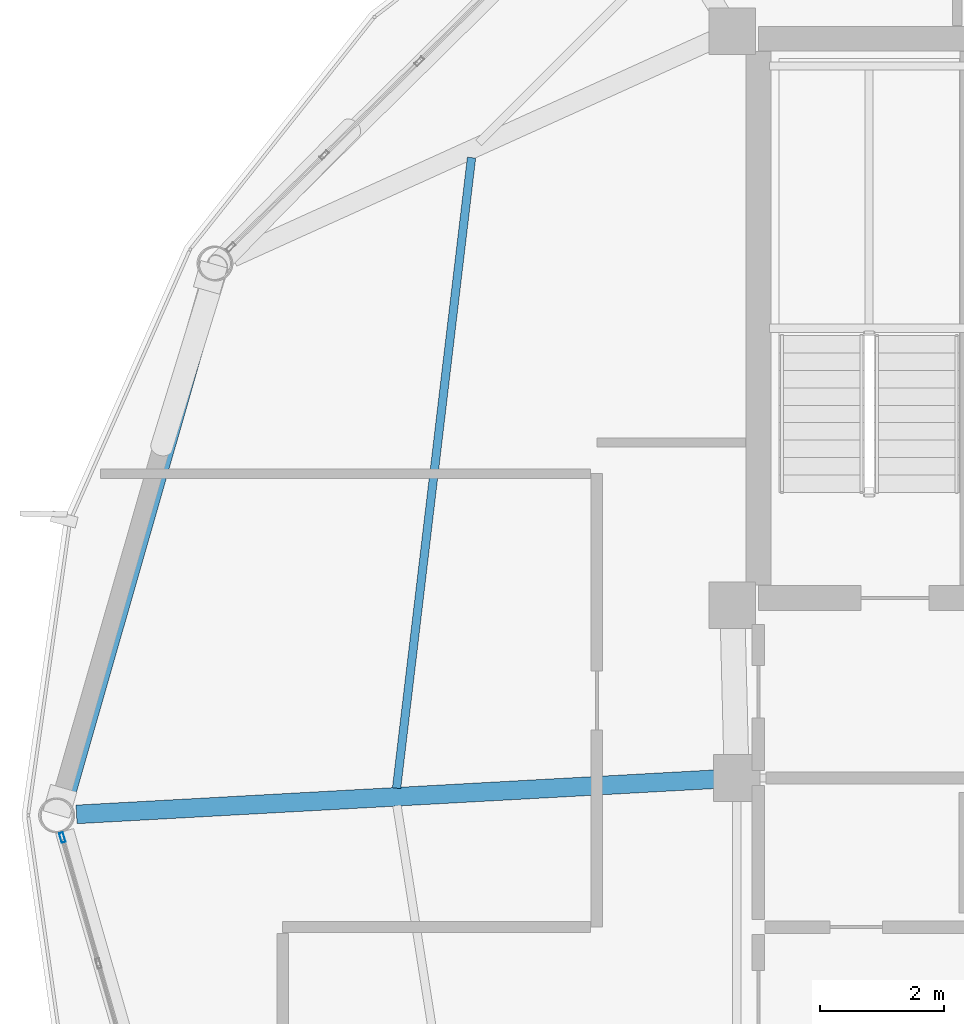
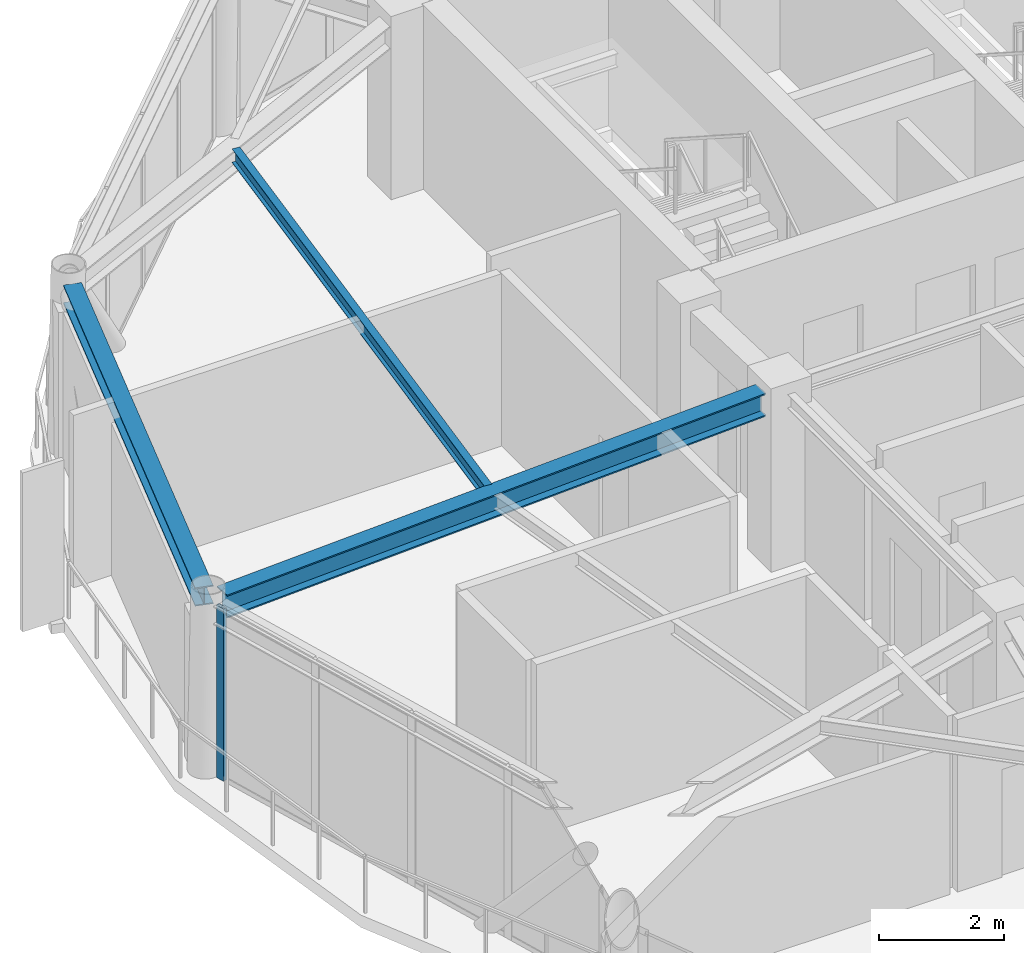
# One storey, part 11 of 26: 3 beams, 1 member, 1 element without a shape of its own.
"""IFC4 building model written with IfcOpenShell, lengths in metres."""

from ifc_helpers import new_model, si_unit, direction, frame, origin, origin_2d, place, context, subcontext, project, spatial, hollow_rectangle, i_section, extrude, material, layer, layer_set, material_profile, profile_set, type_object, element, aggregate, save


model = new_model("IFC4")

# Units and contexts
model_context = context("Model", 3, precision=1e-05, world=origin(), true_north=direction((0.0, 1.0)))
body_context = subcontext(model_context, "Body", "Model", "MODEL_VIEW")
ifc_project = project(units=[si_unit("LENGTHUNIT", "METRE"), si_unit("AREAUNIT", "SQUARE_METRE"), si_unit("VOLUMEUNIT", "CUBIC_METRE"), si_unit("PLANEANGLEUNIT", "RADIAN"), si_unit("MASSUNIT", "GRAM", prefix="KILO")], contexts=[model_context])

# Site, building, storey
site_placement = place(None, origin())
site = spatial("IfcSite", under=ifc_project, at=site_placement, CompositionType="ELEMENT")
building_placement = place(site_placement, origin())
building = spatial("IfcBuilding", under=site, at=building_placement, Name="Varnakorn Sky Granary", CompositionType="ELEMENT")
storey_placement = place(building_placement, frame((0.0, 0.0, 267.0)))
storey = spatial("IfcBuildingStorey", under=building, at=storey_placement, Name="L68", CompositionType="ELEMENT", Elevation=267.0)

# Beams
ifc_material_1 = material(Name="Steel S355JR", Category="steel")
ifc_material_profile_1 = material_profile(ifc_material_1, i_section(OverallWidth=0.300048828125, OverallDepth=0.449951171875, WebThickness=0.013916015625, FlangeThickness=0.02587890625, at=origin_2d()), Name="HE 450 B")
ifc_profile_set_1 = profile_set([ifc_material_profile_1], Name="Steel S355JR")
beam_type_1 = type_object("IfcBeamType", Name="BM-RAD-Z5", PredefinedType="BEAM", material=ifc_profile_set_1)
beam_1_placement = place(storey_placement, frame((-2.70458984375, 0.58056640625, 3.135009765625), z_axis=(-0.998485301574, -0.055019110682, 0.0), x_axis=(0.055019110682, -0.998485301574, 0.0)))
element("IfcBeam", 1, at=beam_1_placement, inside=storey, type_object=beam_type_1, Name="Radial Floor Girder RG07 L68", PredefinedType="BEAM", context=body_context, shape_type="SweptSolid", body=[
    extrude(i_section(OverallWidth=0.300048828125, OverallDepth=0.449951171875, WebThickness=0.013916015625, FlangeThickness=0.02587890625, at=origin_2d()), origin(), (0.0, 0.0, 1.0), 10.285888671875),
])
ifc_material_profile_2 = material_profile(ifc_material_1, i_section(OverallWidth=0.135009765625, OverallDepth=0.27001953125, WebThickness=0.006591796875, FlangeThickness=0.01025390625, at=origin_2d()), Name="IPE 270")
ifc_profile_set_2 = profile_set([ifc_material_profile_2], Name="Steel S355JR")
beam_type_2 = type_object("IfcBeamType", Name="BM-SEC-Z5", PredefinedType="BEAM", material=ifc_profile_set_2)
beam_2_placement = place(storey_placement, frame((-6.616943359375, 10.585693359375, 3.22509765625), z_axis=(-0.118026143742, -0.993010488058, 0.0), x_axis=(0.993010488058, -0.118026143742, 0.0)))
element("IfcBeam", 2, at=beam_2_placement, inside=storey, type_object=beam_type_2, Name="Secondary Floor Chord Beam MSB06 L68", PredefinedType="BEAM", context=body_context, shape_type="SweptSolid", body=[
    extrude(i_section(OverallWidth=0.135009765625, OverallDepth=0.27001953125, WebThickness=0.006591796875, FlangeThickness=0.01025390625, at=origin_2d()), origin(), (0.0, 0.0, 1.0), 10.220703125),
])
ifc_material_profile_3 = material_profile(ifc_material_1, i_section(OverallWidth=0.300048828125, OverallDepth=0.360107421875, WebThickness=0.012451171875, FlangeThickness=0.0224609375, at=origin_2d()), Name="HE 360 B")
ifc_profile_set_3 = profile_set([ifc_material_profile_3], Name="Steel S355JR")
beam_type_3 = type_object("IfcBeamType", Name="BM-SPD-Z5", PredefinedType="SPANDREL", material=ifc_profile_set_3)
beam_3_placement = place(storey_placement, frame((-10.771484375, 8.61279296875, 3.179931640625), z_axis=(-0.275429392242, -0.96132130419, 0.0), x_axis=(0.96132130419, -0.275429392242, 0.0)))
element("IfcBeam", 3, at=beam_3_placement, inside=storey, type_object=beam_type_3, Name="Perimeter Spandrel Ring Beam RB06 L68", PredefinedType="SPANDREL", context=body_context, shape_type="SweptSolid", body=[
    extrude(i_section(OverallWidth=0.300048828125, OverallDepth=0.360107421875, WebThickness=0.012451171875, FlangeThickness=0.0224609375, at=origin_2d()), origin(), (0.0, 0.0, 1.0), 8.694580078125),
])

# Curtain wall, member
ifc_material_2 = material(Name="Anodised Bronze Aluminium Alloy 6063-T6", Category="aluminium")
ifc_layer = layer(ifc_material_2, 0.159912109375, Name="Anodised Bronze Aluminium Alloy 6063-T6")
ifc_layer_set = layer_set([ifc_layer], Name="Anodised Bronze Aluminium Alloy 6063-T6")
curtain_wall_type = type_object("IfcCurtainWallType", Name="CW-OFF-1", PredefinedType="USERDEFINED", material=ifc_layer_set)
curtain_wall_placement = place(storey_placement, origin())
curtain_wall = element("IfcCurtainWall", 4, at=curtain_wall_placement, inside=storey, type_object=curtain_wall_type, Name="Unitised Curtain Wall CW6 CW-L68-B07", ObjectType="CURTAIN WALL", PredefinedType="USERDEFINED")
ifc_material_profile_4 = material_profile(ifc_material_2, hollow_rectangle(XDim=0.06494140625, YDim=0.159912109375, WallThickness=0.00341796875, at=origin_2d()), Name="ALU MULL 65x160")
ifc_profile_set_4 = profile_set([ifc_material_profile_4], Name="Anodised Bronze Aluminium Alloy 6063-T6")
member_type = type_object("IfcMemberType", Name="CW-OFF-1-MULL", PredefinedType="MULLION", material=ifc_profile_set_4)
member_placement = place(storey_placement, frame((-13.203369140625, -0.357421875, 0.0), z_axis=(0.0, 0.0, 1.0), x_axis=(-0.961203382368, -0.275840638274, 0.0)))
member = element("IfcMember", 5, at=member_placement, type_object=member_type, Name="CW6 mullion 5", PredefinedType="MULLION", context=body_context, shape_type="SweptSolid", body=[
    extrude(hollow_rectangle(XDim=0.06494140625, YDim=0.159912109375, WallThickness=0.00341796875, at=origin_2d()), origin(), (0.0, 0.0, 1.0), 3.360107421875),
])
aggregate(curtain_wall, [member])

save(model, "model.ifc")
